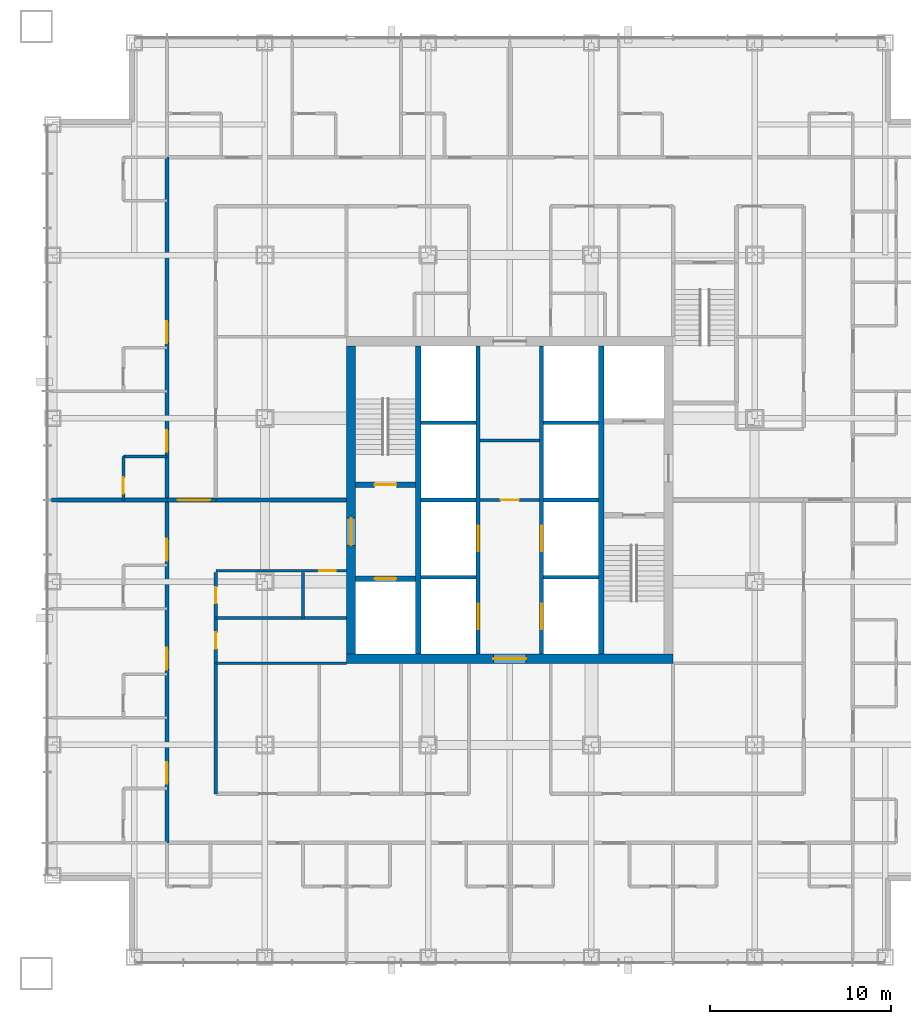
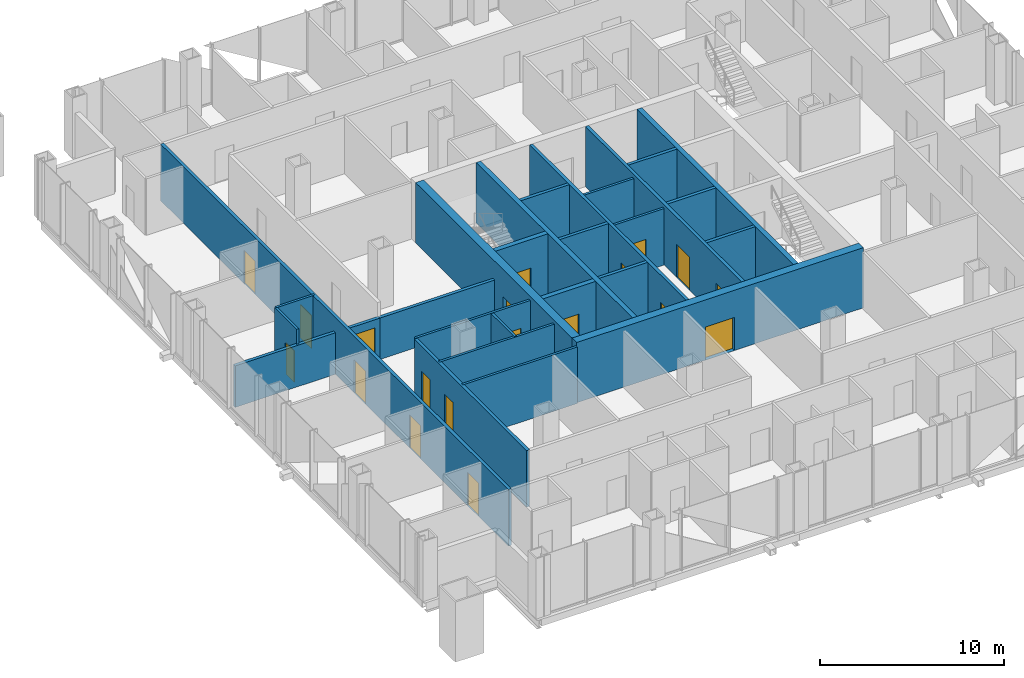
# One storey, part 8 of 17: 27 walls, 19 doors, 19 openings.
"""IFC4 building model written with IfcOpenShell, lengths in metres."""

from ifc_helpers import new_model, si_unit, direction, frame, frame_2d, origin, place, context, subcontext, project, spatial, rectangle, extrude, material, layer, layer_set, type_object, element, fill, save


model = new_model("IFC4")

# Units and contexts
model_context = context("Model", 3, precision=1e-05, world=origin(), true_north=direction((0.0, 1.0)))
body_context = subcontext(model_context, "Body", "Model", "MODEL_VIEW")
ifc_project = project(units=[si_unit("LENGTHUNIT", "METRE"), si_unit("AREAUNIT", "SQUARE_METRE"), si_unit("VOLUMEUNIT", "CUBIC_METRE"), si_unit("PLANEANGLEUNIT", "RADIAN"), si_unit("MASSUNIT", "GRAM", prefix="KILO")], contexts=[model_context])

# Site, building, storey
site_placement = place(None, origin())
site = spatial("IfcSite", under=ifc_project, at=site_placement, CompositionType="ELEMENT")
building_placement = place(site_placement, origin())
building = spatial("IfcBuilding", under=site, at=building_placement, Name="Malebo Sky Hospital", CompositionType="ELEMENT")
storey_placement = place(building_placement, frame((0.0, 0.0, 51.0)))
storey = spatial("IfcBuildingStorey", under=building, at=storey_placement, Name="L11", CompositionType="ELEMENT", Elevation=51.0)

# Wall, openings, doors
ifc_material_1 = material(Name="Concrete C80/95", Category="concrete")
ifc_layer_1 = layer(ifc_material_1, 0.199951171875)
ifc_layer_set_1 = layer_set([ifc_layer_1], Name="CORE INNER WALL 200")
wall_type_1 = type_object("IfcWallType", Name="CORE INNER WALL 200", PredefinedType="SHEAR", material=ifc_layer_set_1)
wall_1_placement = place(storey_placement, frame((58.25, 53.5, 0.0), z_axis=(0.0, 0.0, 1.0), x_axis=(0.0, 1.0, 0.0)))
wall_1 = element("IfcWall", 1, at=wall_1_placement, inside=storey, type_object=wall_type_1, Name="Core wall LW L11", PredefinedType="SHEAR", context=body_context, shape_type="SweptSolid", body=[
    extrude(rectangle(XDim=17.0, YDim=0.199951171875, at=frame_2d((8.5, 0.0))), origin(), (0.0, 0.0, 1.0), 4.0),
])
opening_1_placement = place(wall_1_placement, frame((1.375, 0.0, 0.0)))
opening_1 = element("IfcOpeningElement", 2, at=opening_1_placement, cuts=wall_1, Name="Opening LD1", PredefinedType="OPENING", context=body_context, shape_type="SweptSolid", body=[
    extrude(rectangle(XDim=1.39990234375, YDim=2.199951171875, at=frame_2d((0.699951171875, 1.10009765625))), frame((0.0, 0.10986328125, 0.0), z_axis=(0.0, -1.0, 0.0), x_axis=(1.0, 0.0, 0.0)), (0.0, 0.0, 1.0), 0.219970703125),
])
opening_2_placement = place(wall_1_placement, frame((5.675048828125, 0.0, 0.0)))
opening_2 = element("IfcOpeningElement", 3, at=opening_2_placement, cuts=wall_1, Name="Opening LD1", PredefinedType="OPENING", context=body_context, shape_type="SweptSolid", body=[
    extrude(rectangle(XDim=1.39990234375, YDim=2.199951171875, at=frame_2d((0.699951171875, 1.10009765625))), frame((0.0, 0.10986328125, 0.0), z_axis=(0.0, -1.0, 0.0), x_axis=(1.0, 0.0, 0.0)), (0.0, 0.0, 1.0), 0.219970703125),
])
ifc_material_2 = material(Name="Stainless steel sliding landing door", Category="steel")
door_type_1 = type_object("IfcDoorType", Name="LIFT LANDING DOOR 1400", OperationType="SLIDING_TO_LEFT", PredefinedType="DOOR", material=ifc_material_2)
door_1_placement = place(opening_1_placement, origin())
door_1 = element("IfcDoor", 4, at=door_1_placement, inside=storey, type_object=door_type_1, Name="Lift W1 landing door", OperationType="SLIDING_TO_LEFT", OverallHeight=2.199951171875, OverallWidth=1.39990234375, PredefinedType="DOOR", context=body_context, shape_type="SweptSolid", body=[
    extrude(rectangle(XDim=1.39990234375, YDim=2.199951171875, at=frame_2d((0.699951171875, 1.10009765625))), frame((0.0, 0.02490234375, 0.0), z_axis=(0.0, -1.0, 0.0), x_axis=(1.0, 0.0, 0.0)), (0.0, 0.0, 1.0), 0.050048828125),
])
fill(opening_1, door_1)
door_2_placement = place(opening_2_placement, origin())
door_2 = element("IfcDoor", 5, at=door_2_placement, inside=storey, type_object=door_type_1, Name="Lift W2 landing door", OperationType="SLIDING_TO_LEFT", OverallHeight=2.199951171875, OverallWidth=1.39990234375, PredefinedType="DOOR", context=body_context, shape_type="SweptSolid", body=[
    extrude(rectangle(XDim=1.39990234375, YDim=2.199951171875, at=frame_2d((0.699951171875, 1.10009765625))), frame((0.0, 0.02490234375, 0.0), z_axis=(0.0, -1.0, 0.0), x_axis=(1.0, 0.0, 0.0)), (0.0, 0.0, 1.0), 0.050048828125),
])
fill(opening_2, door_2)

wall_2_placement = place(storey_placement, frame((61.75, 53.5, 0.0), z_axis=(0.0, 0.0, 1.0), x_axis=(0.0, 1.0, 0.0)))
wall_2 = element("IfcWall", 6, at=wall_2_placement, inside=storey, type_object=wall_type_1, Name="Core wall LE L11", PredefinedType="SHEAR", context=body_context, shape_type="SweptSolid", body=[
    extrude(rectangle(XDim=17.0, YDim=0.199951171875, at=frame_2d((8.5, 0.0))), origin(), (0.0, 0.0, 1.0), 4.0),
])
opening_3_placement = place(wall_2_placement, frame((1.375, 0.0, 0.0)))
opening_3 = element("IfcOpeningElement", 7, at=opening_3_placement, cuts=wall_2, Name="Opening LD1", PredefinedType="OPENING", context=body_context, shape_type="SweptSolid", body=[
    extrude(rectangle(XDim=1.39990234375, YDim=2.199951171875, at=frame_2d((0.699951171875, 1.10009765625))), frame((0.0, 0.10986328125, 0.0), z_axis=(0.0, -1.0, 0.0), x_axis=(1.0, 0.0, 0.0)), (0.0, 0.0, 1.0), 0.219970703125),
])
opening_4_placement = place(wall_2_placement, frame((5.675048828125, 0.0, 0.0)))
opening_4 = element("IfcOpeningElement", 8, at=opening_4_placement, cuts=wall_2, Name="Opening LD1", PredefinedType="OPENING", context=body_context, shape_type="SweptSolid", body=[
    extrude(rectangle(XDim=1.39990234375, YDim=2.199951171875, at=frame_2d((0.699951171875, 1.10009765625))), frame((0.0, 0.10986328125, 0.0), z_axis=(0.0, -1.0, 0.0), x_axis=(1.0, 0.0, 0.0)), (0.0, 0.0, 1.0), 0.219970703125),
])
door_3_placement = place(opening_3_placement, origin())
door_3 = element("IfcDoor", 9, at=door_3_placement, inside=storey, type_object=door_type_1, Name="Lift E1 landing door", OperationType="SLIDING_TO_LEFT", OverallHeight=2.199951171875, OverallWidth=1.39990234375, PredefinedType="DOOR", context=body_context, shape_type="SweptSolid", body=[
    extrude(rectangle(XDim=1.39990234375, YDim=2.199951171875, at=frame_2d((0.699951171875, 1.10009765625))), frame((0.0, 0.02490234375, 0.0), z_axis=(0.0, -1.0, 0.0), x_axis=(1.0, 0.0, 0.0)), (0.0, 0.0, 1.0), 0.050048828125),
])
fill(opening_3, door_3)
door_4_placement = place(opening_4_placement, origin())
door_4 = element("IfcDoor", 10, at=door_4_placement, inside=storey, type_object=door_type_1, Name="Lift E2 landing door", OperationType="SLIDING_TO_LEFT", OverallHeight=2.199951171875, OverallWidth=1.39990234375, PredefinedType="DOOR", context=body_context, shape_type="SweptSolid", body=[
    extrude(rectangle(XDim=1.39990234375, YDim=2.199951171875, at=frame_2d((0.699951171875, 1.10009765625))), frame((0.0, 0.02490234375, 0.0), z_axis=(0.0, -1.0, 0.0), x_axis=(1.0, 0.0, 0.0)), (0.0, 0.0, 1.0), 0.050048828125),
])
fill(opening_4, door_4)

# Walls
for number, where, z_axis, x_axis, name in (
    (11, (55.10009765625, 57.75, 0.0), (0.0, 0.0, 1.0), (1.0, 0.0, 0.0), "Core wall SW0 L11"),
    (12, (61.85009765625, 57.75, 0.0), (0.0, 0.0, 1.0), (1.0, 0.0, 0.0), "Core wall SE0 L11"),
    (13, (55.10009765625, 62.0, 0.0), (0.0, 0.0, 1.0), (1.0, 0.0, 0.0), "Core wall SW1 L11"),
    (14, (61.85009765625, 62.0, 0.0), (0.0, 0.0, 1.0), (1.0, 0.0, 0.0), "Core wall SE1 L11"),
    (15, (55.10009765625, 66.25, 0.0), (0.0, 0.0, 1.0), (1.0, 0.0, 0.0), "Core wall SW2 L11"),
    (16, (61.85009765625, 66.25, 0.0), (0.0, 0.0, 1.0), (1.0, 0.0, 0.0), "Core wall SE2 L11"),
):
    element("IfcWall", number, at=place(storey_placement, frame(where, z_axis=z_axis, x_axis=x_axis)), inside=storey, type_object=wall_type_1, Name=name, PredefinedType="SHEAR", context=body_context, shape_type="SweptSolid", body=[
        extrude(rectangle(XDim=3.0498046875, YDim=0.199951171875, at=frame_2d((1.52490234375, 0.0))), origin(), (0.0, 0.0, 1.0), 4.0),
    ])
ifc_layer_2 = layer(ifc_material_1, 0.300048828125)
ifc_layer_set_2 = layer_set([ifc_layer_2], Name="CORE INNER WALL 300")
wall_type_2 = type_object("IfcWallType", Name="CORE INNER WALL 300", PredefinedType="SHEAR", material=ifc_layer_set_2)
for number, where, z_axis, x_axis, name in (
    (17, (54.949951171875, 53.5, 0.0), (0.0, 0.0, 1.0), (0.0, 1.0, 0.0), "Core wall XW L11"),
    (18, (65.050048828125, 53.5, 0.0), (0.0, 0.0, 1.0), (0.0, 1.0, 0.0), "Core wall XE L11"),
):
    element("IfcWall", number, at=place(storey_placement, frame(where, z_axis=z_axis, x_axis=x_axis)), inside=storey, type_object=wall_type_2, Name=name, PredefinedType="SHEAR", context=body_context, shape_type="SweptSolid", body=[
        extrude(rectangle(XDim=17.0, YDim=0.300048828125, at=frame_2d((8.5, 0.0))), origin(), (0.0, 0.0, 1.0), 4.0),
    ])

# Wall, opening, door
wall_3_placement = place(storey_placement, frame((51.5, 62.85009765625, 0.0), z_axis=(0.0, 0.0, 1.0), x_axis=(1.0, 0.0, 0.0)))
wall_3 = element("IfcWall", 19, at=wall_3_placement, inside=storey, type_object=wall_type_2, Name="Core wall W1 L11", PredefinedType="SHEAR", context=body_context, shape_type="SweptSolid", body=[
    extrude(rectangle(XDim=3.300048828125, YDim=0.300048828125, at=frame_2d((1.64990234375, 0.0))), origin(), (0.0, 0.0, 1.0), 4.0),
])
opening_5_placement = place(wall_3_placement, frame((1.050048828125, 0.0, 0.0)))
opening_5 = element("IfcOpeningElement", 20, at=opening_5_placement, cuts=wall_3, Name="Opening D08", PredefinedType="OPENING", context=body_context, shape_type="SweptSolid", body=[
    extrude(rectangle(XDim=1.199951171875, YDim=2.10009765625, at=frame_2d((0.60009765625, 1.050048828125))), frame((0.0, 0.159912109375, 0.0), z_axis=(0.0, -1.0, 0.0), x_axis=(1.0, 0.0, 0.0)), (0.0, 0.0, 1.0), 0.320068359375),
])
ifc_material_3 = material(Name="Hardwood-faced door leaf in steel frame", Category="steel")
door_type_2 = type_object("IfcDoorType", Name="STAIR DOOR 1200", OperationType="SINGLE_SWING_LEFT", PredefinedType="DOOR", material=ifc_material_3)
door_5_placement = place(opening_5_placement, origin())
door_5 = element("IfcDoor", 21, at=door_5_placement, inside=storey, type_object=door_type_2, Name="Stair S1 door", OperationType="SINGLE_SWING_LEFT", OverallHeight=2.10009765625, OverallWidth=1.199951171875, PredefinedType="DOOR", context=body_context, shape_type="SweptSolid", body=[
    extrude(rectangle(XDim=1.199951171875, YDim=2.10009765625, at=frame_2d((0.60009765625, 1.050048828125))), frame((0.0, 0.02490234375, 0.0), z_axis=(0.0, -1.0, 0.0), x_axis=(1.0, 0.0, 0.0)), (0.0, 0.0, 1.0), 0.050048828125),
])
fill(opening_5, door_5)

wall_4_placement = place(storey_placement, frame((51.5, 57.64990234375, 0.0), z_axis=(0.0, 0.0, 1.0), x_axis=(1.0, 0.0, 0.0)))
wall_4 = element("IfcWall", 22, at=wall_4_placement, inside=storey, type_object=wall_type_2, Name="Core wall W2 L11", PredefinedType="SHEAR", context=body_context, shape_type="SweptSolid", body=[
    extrude(rectangle(XDim=3.300048828125, YDim=0.300048828125, at=frame_2d((1.64990234375, 0.0))), origin(), (0.0, 0.0, 1.0), 4.0),
])
opening_6_placement = place(wall_4_placement, frame((1.050048828125, 0.0, 0.0)))
opening_6 = element("IfcOpeningElement", 23, at=opening_6_placement, cuts=wall_4, Name="Opening LD2", PredefinedType="OPENING", context=body_context, shape_type="SweptSolid", body=[
    extrude(rectangle(XDim=1.199951171875, YDim=2.199951171875, at=frame_2d((0.60009765625, 1.10009765625))), frame((0.0, 0.159912109375, 0.0), z_axis=(0.0, -1.0, 0.0), x_axis=(1.0, 0.0, 0.0)), (0.0, 0.0, 1.0), 0.320068359375),
])
door_type_3 = type_object("IfcDoorType", Name="FIRE-FIGHTING LIFT LANDING DOOR 1200", OperationType="SLIDING_TO_LEFT", PredefinedType="DOOR", material=ifc_material_2)
door_6_placement = place(opening_6_placement, origin())
door_6 = element("IfcDoor", 24, at=door_6_placement, inside=storey, type_object=door_type_3, Name="Lift FL1 landing door", OperationType="SLIDING_TO_LEFT", OverallHeight=2.199951171875, OverallWidth=1.199951171875, PredefinedType="DOOR", context=body_context, shape_type="SweptSolid", body=[
    extrude(rectangle(XDim=1.199951171875, YDim=2.199951171875, at=frame_2d((0.60009765625, 1.10009765625))), frame((0.0, 0.02490234375, 0.0), z_axis=(0.0, -1.0, 0.0), x_axis=(1.0, 0.0, 0.0)), (0.0, 0.0, 1.0), 0.050048828125),
])
fill(opening_6, door_6)

ifc_layer_3 = layer(ifc_material_1, 0.5)
ifc_layer_set_3 = layer_set([ifc_layer_3], Name="CORE WALL 500")
wall_type_3 = type_object("IfcWallType", Name="CORE WALL 500", PredefinedType="SHEAR", material=ifc_layer_set_3)
wall_5_placement = place(storey_placement, frame((51.0, 53.25, 0.0), z_axis=(0.0, 0.0, 1.0), x_axis=(1.0, 0.0, 0.0)))
wall_5 = element("IfcWall", 25, at=wall_5_placement, inside=storey, type_object=wall_type_3, Name="Core wall S L11", PredefinedType="SHEAR", context=body_context, shape_type="SweptSolid", body=[
    extrude(rectangle(XDim=18.0, YDim=0.5, at=frame_2d((9.0, 0.0))), origin(), (0.0, 0.0, 1.0), 4.0),
])
opening_7_placement = place(wall_5_placement, frame((8.10009765625, 0.0, 0.0)))
opening_7 = element("IfcOpeningElement", 26, at=opening_7_placement, cuts=wall_5, Name="Opening D06", PredefinedType="OPENING", context=body_context, shape_type="SweptSolid", body=[
    extrude(rectangle(XDim=1.800048828125, YDim=2.199951171875, at=frame_2d((0.89990234375, 1.10009765625))), frame((0.0, 0.260009765625, 0.0), z_axis=(0.0, -1.0, 0.0), x_axis=(1.0, 0.0, 0.0)), (0.0, 0.0, 1.0), 0.52001953125),
])
door_type_4 = type_object("IfcDoorType", Name="LOBBY DOOR PAIR 1800", OperationType="DOUBLE_DOOR_SINGLE_SWING", PredefinedType="DOOR", material=ifc_material_3)
door_7_placement = place(opening_7_placement, origin())
door_7 = element("IfcDoor", 27, at=door_7_placement, inside=storey, type_object=door_type_4, Name="Lift lobby door south", OperationType="DOUBLE_DOOR_SINGLE_SWING", OverallHeight=2.199951171875, OverallWidth=1.800048828125, PredefinedType="DOOR", context=body_context, shape_type="SweptSolid", body=[
    extrude(rectangle(XDim=1.800048828125, YDim=2.199951171875, at=frame_2d((0.89990234375, 1.10009765625))), frame((0.0, 0.02490234375, 0.0), z_axis=(0.0, -1.0, 0.0), x_axis=(1.0, 0.0, 0.0)), (0.0, 0.0, 1.0), 0.050048828125),
])
fill(opening_7, door_7)

wall_6_placement = place(storey_placement, frame((51.25, 53.5, 0.0), z_axis=(0.0, 0.0, 1.0), x_axis=(0.0, 1.0, 0.0)))
wall_6 = element("IfcWall", 28, at=wall_6_placement, inside=storey, type_object=wall_type_3, Name="Core wall W L11", PredefinedType="SHEAR", context=body_context, shape_type="SweptSolid", body=[
    extrude(rectangle(XDim=17.0, YDim=0.5, at=frame_2d((8.5, 0.0))), origin(), (0.0, 0.0, 1.0), 4.0),
])
opening_8_placement = place(wall_6_placement, frame((6.0, 0.0, 0.0)))
opening_8 = element("IfcOpeningElement", 29, at=opening_8_placement, cuts=wall_6, Name="Opening D07", PredefinedType="OPENING", context=body_context, shape_type="SweptSolid", body=[
    extrude(rectangle(XDim=1.5, YDim=2.199951171875, at=frame_2d((0.75, 1.10009765625))), frame((0.0, 0.260009765625, 0.0), z_axis=(0.0, -1.0, 0.0), x_axis=(1.0, 0.0, 0.0)), (0.0, 0.0, 1.0), 0.52001953125),
])
door_type_5 = type_object("IfcDoorType", Name="FIRE-FIGHTING LOBBY DOOR PAIR 1500", OperationType="DOUBLE_DOOR_SINGLE_SWING", PredefinedType="DOOR", material=ifc_material_3)
door_8_placement = place(opening_8_placement, origin())
door_8 = element("IfcDoor", 30, at=door_8_placement, inside=storey, type_object=door_type_5, Name="Fire-fighting lobby door west", OperationType="DOUBLE_DOOR_SINGLE_SWING", OverallHeight=2.199951171875, OverallWidth=1.5, PredefinedType="DOOR", context=body_context, shape_type="SweptSolid", body=[
    extrude(rectangle(XDim=1.5, YDim=2.199951171875, at=frame_2d((0.75, 1.10009765625))), frame((0.0, 0.02490234375, 0.0), z_axis=(0.0, -1.0, 0.0), x_axis=(1.0, 0.0, 0.0)), (0.0, 0.0, 1.0), 0.050048828125),
])
fill(opening_8, door_8)

# Wall, openings, doors
ifc_material_4 = material(Name="Gypsum board on steel studs", Category="steel")
ifc_layer_4 = layer(ifc_material_4, 0.199951171875)
ifc_layer_set_4 = layer_set([ifc_layer_4], Name="CORRIDOR WALL 200")
wall_type_4 = type_object("IfcWallType", Name="CORRIDOR WALL 200", PredefinedType="PARTITIONING", material=ifc_layer_set_4)
wall_7_placement = place(storey_placement, frame((41.10009765625, 43.10009765625, 0.0), z_axis=(0.0, 0.0, 1.0), x_axis=(0.0, 1.0, 0.0)))
wall_7 = element("IfcWall", 31, at=wall_7_placement, inside=storey, type_object=wall_type_4, Name="Corridor Wall 200 WCO", PredefinedType="PARTITIONING", context=body_context, shape_type="SweptSolid", body=[
    extrude(rectangle(XDim=37.7998046875, YDim=0.199951171875, at=frame_2d((18.89990234375, 0.0))), origin(), (0.0, 0.0, 1.0), 3.75),
])
opening_9_placement = place(wall_7_placement, frame((3.25, 0.0, 0.0)))
opening_9 = element("IfcOpeningElement", 32, at=opening_9_placement, cuts=wall_7, Name="Opening D01", PredefinedType="OPENING", context=body_context, shape_type="SweptSolid", body=[
    extrude(rectangle(XDim=1.199951171875, YDim=2.199951171875, at=frame_2d((0.60009765625, 1.10009765625))), frame((0.0, 0.10986328125, 0.0), z_axis=(0.0, -1.0, 0.0), x_axis=(1.0, 0.0, 0.0)), (0.0, 0.0, 1.0), 0.219970703125),
])
opening_10_placement = place(wall_7_placement, frame((9.550048828125, 0.0, 0.0)))
opening_10 = element("IfcOpeningElement", 33, at=opening_10_placement, cuts=wall_7, Name="Opening D01", PredefinedType="OPENING", context=body_context, shape_type="SweptSolid", body=[
    extrude(rectangle(XDim=1.199951171875, YDim=2.199951171875, at=frame_2d((0.60009765625, 1.10009765625))), frame((0.0, 0.10986328125, 0.0), z_axis=(0.0, -1.0, 0.0), x_axis=(1.0, 0.0, 0.0)), (0.0, 0.0, 1.0), 0.219970703125),
])
opening_11_placement = place(wall_7_placement, frame((15.550048828125, 0.0, 0.0)))
opening_11 = element("IfcOpeningElement", 34, at=opening_11_placement, cuts=wall_7, Name="Opening D01", PredefinedType="OPENING", context=body_context, shape_type="SweptSolid", body=[
    extrude(rectangle(XDim=1.199951171875, YDim=2.199951171875, at=frame_2d((0.60009765625, 1.10009765625))), frame((0.0, 0.10986328125, 0.0), z_axis=(0.0, -1.0, 0.0), x_axis=(1.0, 0.0, 0.0)), (0.0, 0.0, 1.0), 0.219970703125),
])
opening_12_placement = place(wall_7_placement, frame((21.550048828125, 0.0, 0.0)))
opening_12 = element("IfcOpeningElement", 35, at=opening_12_placement, cuts=wall_7, Name="Opening D01", PredefinedType="OPENING", context=body_context, shape_type="SweptSolid", body=[
    extrude(rectangle(XDim=1.199951171875, YDim=2.199951171875, at=frame_2d((0.60009765625, 1.10009765625))), frame((0.0, 0.10986328125, 0.0), z_axis=(0.0, -1.0, 0.0), x_axis=(1.0, 0.0, 0.0)), (0.0, 0.0, 1.0), 0.219970703125),
])
opening_13_placement = place(wall_7_placement, frame((27.550048828125, 0.0, 0.0)))
opening_13 = element("IfcOpeningElement", 36, at=opening_13_placement, cuts=wall_7, Name="Opening D01", PredefinedType="OPENING", context=body_context, shape_type="SweptSolid", body=[
    extrude(rectangle(XDim=1.199951171875, YDim=2.199951171875, at=frame_2d((0.60009765625, 1.10009765625))), frame((0.0, 0.10986328125, 0.0), z_axis=(0.0, -1.0, 0.0), x_axis=(1.0, 0.0, 0.0)), (0.0, 0.0, 1.0), 0.219970703125),
])
door_type_6 = type_object("IfcDoorType", Name="BED DOOR 1200", OperationType="SINGLE_SWING_LEFT", PredefinedType="DOOR", material=ifc_material_3)
door_9_placement = place(opening_9_placement, origin())
door_9 = element("IfcDoor", 37, at=door_9_placement, inside=storey, type_object=door_type_6, Name="Two-bed room door", OperationType="SINGLE_SWING_LEFT", OverallHeight=2.199951171875, OverallWidth=1.199951171875, PredefinedType="DOOR", context=body_context, shape_type="SweptSolid", body=[
    extrude(rectangle(XDim=1.199951171875, YDim=2.199951171875, at=frame_2d((0.60009765625, 1.10009765625))), frame((0.0, 0.02490234375, 0.0), z_axis=(0.0, -1.0, 0.0), x_axis=(1.0, 0.0, 0.0)), (0.0, 0.0, 1.0), 0.050048828125),
])
fill(opening_9, door_9)
door_10_placement = place(opening_10_placement, origin())
door_10 = element("IfcDoor", 38, at=door_10_placement, inside=storey, type_object=door_type_6, Name="Two-bed room door", OperationType="SINGLE_SWING_LEFT", OverallHeight=2.199951171875, OverallWidth=1.199951171875, PredefinedType="DOOR", context=body_context, shape_type="SweptSolid", body=[
    extrude(rectangle(XDim=1.199951171875, YDim=2.199951171875, at=frame_2d((0.60009765625, 1.10009765625))), frame((0.0, 0.02490234375, 0.0), z_axis=(0.0, -1.0, 0.0), x_axis=(1.0, 0.0, 0.0)), (0.0, 0.0, 1.0), 0.050048828125),
])
fill(opening_10, door_10)
door_11_placement = place(opening_11_placement, origin())
door_11 = element("IfcDoor", 39, at=door_11_placement, inside=storey, type_object=door_type_6, Name="Two-bed room door", OperationType="SINGLE_SWING_LEFT", OverallHeight=2.199951171875, OverallWidth=1.199951171875, PredefinedType="DOOR", context=body_context, shape_type="SweptSolid", body=[
    extrude(rectangle(XDim=1.199951171875, YDim=2.199951171875, at=frame_2d((0.60009765625, 1.10009765625))), frame((0.0, 0.02490234375, 0.0), z_axis=(0.0, -1.0, 0.0), x_axis=(1.0, 0.0, 0.0)), (0.0, 0.0, 1.0), 0.050048828125),
])
fill(opening_11, door_11)
door_12_placement = place(opening_12_placement, origin())
door_12 = element("IfcDoor", 40, at=door_12_placement, inside=storey, type_object=door_type_6, Name="Two-bed room door", OperationType="SINGLE_SWING_LEFT", OverallHeight=2.199951171875, OverallWidth=1.199951171875, PredefinedType="DOOR", context=body_context, shape_type="SweptSolid", body=[
    extrude(rectangle(XDim=1.199951171875, YDim=2.199951171875, at=frame_2d((0.60009765625, 1.10009765625))), frame((0.0, 0.02490234375, 0.0), z_axis=(0.0, -1.0, 0.0), x_axis=(1.0, 0.0, 0.0)), (0.0, 0.0, 1.0), 0.050048828125),
])
fill(opening_12, door_12)
door_13_placement = place(opening_13_placement, origin())
door_13 = element("IfcDoor", 41, at=door_13_placement, inside=storey, type_object=door_type_6, Name="Four-bed bay door", OperationType="SINGLE_SWING_LEFT", OverallHeight=2.199951171875, OverallWidth=1.199951171875, PredefinedType="DOOR", context=body_context, shape_type="SweptSolid", body=[
    extrude(rectangle(XDim=1.199951171875, YDim=2.199951171875, at=frame_2d((0.60009765625, 1.10009765625))), frame((0.0, 0.02490234375, 0.0), z_axis=(0.0, -1.0, 0.0), x_axis=(1.0, 0.0, 0.0)), (0.0, 0.0, 1.0), 0.050048828125),
])
fill(opening_13, door_13)

wall_8_placement = place(storey_placement, frame((43.800048828125, 45.800048828125, 0.0), z_axis=(0.0, 0.0, 1.0), x_axis=(0.0, 1.0, 0.0)))
wall_8 = element("IfcWall", 42, at=wall_8_placement, inside=storey, type_object=wall_type_4, Name="Corridor Wall 200 WCI1", PredefinedType="PARTITIONING", context=body_context, shape_type="SweptSolid", body=[
    extrude(rectangle(XDim=12.199951171875, YDim=0.199951171875, at=frame_2d((6.10009765625, 0.0))), origin(), (0.0, 0.0, 1.0), 3.75),
])
opening_14_placement = place(wall_8_placement, frame((8.0, 0.0, 0.0)))
opening_14 = element("IfcOpeningElement", 43, at=opening_14_placement, cuts=wall_8, Name="Opening D04", PredefinedType="OPENING", context=body_context, shape_type="SweptSolid", body=[
    extrude(rectangle(XDim=0.89990234375, YDim=2.10009765625, at=frame_2d((0.449951171875, 1.050048828125))), frame((0.0, 0.10986328125, 0.0), z_axis=(0.0, -1.0, 0.0), x_axis=(1.0, 0.0, 0.0)), (0.0, 0.0, 1.0), 0.219970703125),
])
opening_15_placement = place(wall_8_placement, frame((10.5, 0.0, 0.0)))
opening_15 = element("IfcOpeningElement", 44, at=opening_15_placement, cuts=wall_8, Name="Opening D04", PredefinedType="OPENING", context=body_context, shape_type="SweptSolid", body=[
    extrude(rectangle(XDim=0.89990234375, YDim=2.10009765625, at=frame_2d((0.449951171875, 1.050048828125))), frame((0.0, 0.10986328125, 0.0), z_axis=(0.0, -1.0, 0.0), x_axis=(1.0, 0.0, 0.0)), (0.0, 0.0, 1.0), 0.219970703125),
])
door_type_7 = type_object("IfcDoorType", Name="ROOM DOOR 900", OperationType="SINGLE_SWING_LEFT", PredefinedType="DOOR", material=ifc_material_3)
door_14_placement = place(opening_14_placement, origin())
door_14 = element("IfcDoor", 45, at=door_14_placement, inside=storey, type_object=door_type_7, Name="Medication room door", OperationType="SINGLE_SWING_LEFT", OverallHeight=2.10009765625, OverallWidth=0.89990234375, PredefinedType="DOOR", context=body_context, shape_type="SweptSolid", body=[
    extrude(rectangle(XDim=0.89990234375, YDim=2.10009765625, at=frame_2d((0.449951171875, 1.050048828125))), frame((0.0, 0.02490234375, 0.0), z_axis=(0.0, -1.0, 0.0), x_axis=(1.0, 0.0, 0.0)), (0.0, 0.0, 1.0), 0.050048828125),
])
fill(opening_14, door_14)
door_15_placement = place(opening_15_placement, origin())
door_15 = element("IfcDoor", 46, at=door_15_placement, inside=storey, type_object=door_type_7, Name="Linen store door", OperationType="SINGLE_SWING_LEFT", OverallHeight=2.10009765625, OverallWidth=0.89990234375, PredefinedType="DOOR", context=body_context, shape_type="SweptSolid", body=[
    extrude(rectangle(XDim=0.89990234375, YDim=2.10009765625, at=frame_2d((0.449951171875, 1.050048828125))), frame((0.0, 0.02490234375, 0.0), z_axis=(0.0, -1.0, 0.0), x_axis=(1.0, 0.0, 0.0)), (0.0, 0.0, 1.0), 0.050048828125),
])
fill(opening_15, door_15)

# Wall, opening, door
ifc_layer_5 = layer(ifc_material_4, 0.14990234375)
ifc_layer_set_5 = layer_set([ifc_layer_5], Name="PARTITION 150")
wall_type_5 = type_object("IfcWallType", Name="PARTITION 150", PredefinedType="PARTITIONING", material=ifc_layer_set_5)
wall_9_placement = place(storey_placement, frame((38.699951171875, 62.0, 0.0), z_axis=(0.0, 0.0, 1.0), x_axis=(0.0, 1.0, 0.0)))
wall_9 = element("IfcWall", 47, at=wall_9_placement, inside=storey, type_object=wall_type_5, Name="Partition 150 WE3F", PredefinedType="PARTITIONING", context=body_context, shape_type="SweptSolid", body=[
    extrude(rectangle(XDim=2.39990234375, YDim=0.14990234375, at=frame_2d((1.199951171875, 0.0))), origin(), (0.0, 0.0, 1.0), 3.75),
])
opening_16_placement = place(wall_9_placement, frame((0.35009765625, 0.0, 0.0)))
opening_16 = element("IfcOpeningElement", 48, at=opening_16_placement, cuts=wall_9, Name="Opening D02", PredefinedType="OPENING", context=body_context, shape_type="SweptSolid", body=[
    extrude(rectangle(XDim=0.89990234375, YDim=2.10009765625, at=frame_2d((0.449951171875, 1.050048828125))), frame((0.0, 0.0849609375, 0.0), z_axis=(0.0, -1.0, 0.0), x_axis=(1.0, 0.0, 0.0)), (0.0, 0.0, 1.0), 0.169921875),
])
door_type_8 = type_object("IfcDoorType", Name="EN-SUITE DOOR 900", OperationType="SINGLE_SWING_LEFT", PredefinedType="DOOR", material=ifc_material_3)
door_16_placement = place(opening_16_placement, origin())
door_16 = element("IfcDoor", 49, at=door_16_placement, inside=storey, type_object=door_type_8, Name="En-suite door", OperationType="SINGLE_SWING_LEFT", OverallHeight=2.10009765625, OverallWidth=0.89990234375, PredefinedType="DOOR", context=body_context, shape_type="SweptSolid", body=[
    extrude(rectangle(XDim=0.89990234375, YDim=2.10009765625, at=frame_2d((0.449951171875, 1.050048828125))), frame((0.0, 0.02490234375, 0.0), z_axis=(0.0, -1.0, 0.0), x_axis=(1.0, 0.0, 0.0)), (0.0, 0.0, 1.0), 0.050048828125),
])
fill(opening_16, door_16)

# Walls
wall_10_placement = place(storey_placement, frame((41.10009765625, 64.39990234375, 0.0), z_axis=(0.0, 0.0, 1.0), x_axis=(-1.0, 0.0, 0.0)))
element("IfcWall", 50, at=wall_10_placement, inside=storey, type_object=wall_type_5, Name="Partition 150 WE3S", PredefinedType="PARTITIONING", context=body_context, shape_type="SweptSolid", body=[
    extrude(rectangle(XDim=2.400146484375, YDim=0.14990234375, at=frame_2d((1.2001953125, 0.0))), origin(), (0.0, 0.0, 1.0), 3.75),
])
wall_11_placement = place(storey_placement, frame((51.0, 53.0, 0.0), z_axis=(0.0, 0.0, 1.0), x_axis=(-1.0, 0.0, 0.0)))
element("IfcWall", 51, at=wall_11_placement, inside=storey, type_object=wall_type_5, Name="Partition 150 WSP0", PredefinedType="PARTITIONING", context=body_context, shape_type="SweptSolid", body=[
    extrude(rectangle(XDim=7.199951171875, YDim=0.14990234375, at=frame_2d((3.60009765625, 0.0))), origin(), (0.0, 0.0, 1.0), 3.75),
])

# Wall, opening, door
wall_12_placement = place(storey_placement, frame((51.0, 58.10009765625, 0.0), z_axis=(0.0, 0.0, 1.0), x_axis=(-1.0, 0.0, 0.0)))
wall_12 = element("IfcWall", 52, at=wall_12_placement, inside=storey, type_object=wall_type_5, Name="Partition 150 WSPA", PredefinedType="PARTITIONING", context=body_context, shape_type="SweptSolid", body=[
    extrude(rectangle(XDim=7.199951171875, YDim=0.14990234375, at=frame_2d((3.60009765625, 0.0))), origin(), (0.0, 0.0, 1.0), 3.75),
])
opening_17_placement = place(wall_12_placement, frame((0.60009765625, 0.0, 0.0)))
opening_17 = element("IfcOpeningElement", 53, at=opening_17_placement, cuts=wall_12, Name="Opening D04", PredefinedType="OPENING", context=body_context, shape_type="SweptSolid", body=[
    extrude(rectangle(XDim=0.89990234375, YDim=2.10009765625, at=frame_2d((0.449951171875, 1.050048828125))), frame((0.0, 0.0849609375, 0.0), z_axis=(0.0, -1.0, 0.0), x_axis=(1.0, 0.0, 0.0)), (0.0, 0.0, 1.0), 0.169921875),
])
door_17_placement = place(opening_17_placement, origin())
door_17 = element("IfcDoor", 54, at=door_17_placement, inside=storey, type_object=door_type_7, Name="Cleaner's room door", OperationType="SINGLE_SWING_LEFT", OverallHeight=2.10009765625, OverallWidth=0.89990234375, PredefinedType="DOOR", context=body_context, shape_type="SweptSolid", body=[
    extrude(rectangle(XDim=0.89990234375, YDim=2.10009765625, at=frame_2d((0.449951171875, 1.050048828125))), frame((0.0, 0.02490234375, 0.0), z_axis=(0.0, -1.0, 0.0), x_axis=(1.0, 0.0, 0.0)), (0.0, 0.0, 1.0), 0.050048828125),
])
fill(opening_17, door_17)

# Walls
wall_13_placement = place(storey_placement, frame((51.0, 55.5, 0.0), z_axis=(0.0, 0.0, 1.0), x_axis=(-1.0, 0.0, 0.0)))
element("IfcWall", 55, at=wall_13_placement, inside=storey, type_object=wall_type_5, Name="Partition 150 WSP-6.5", PredefinedType="PARTITIONING", context=body_context, shape_type="SweptSolid", body=[
    extrude(rectangle(XDim=7.199951171875, YDim=0.14990234375, at=frame_2d((3.60009765625, 0.0))), origin(), (0.0, 0.0, 1.0), 3.75),
])
wall_14_placement = place(storey_placement, frame((48.60009765625, 55.5, 0.0), z_axis=(0.0, 0.0, 1.0), x_axis=(0.0, 1.0, 0.0)))
element("IfcWall", 56, at=wall_14_placement, inside=storey, type_object=wall_type_5, Name="Partition 150 WSX1", PredefinedType="PARTITIONING", context=body_context, shape_type="SweptSolid", body=[
    extrude(rectangle(XDim=2.5, YDim=0.14990234375, at=frame_2d((1.25, 0.0))), origin(), (0.0, 0.0, 1.0), 3.75),
])

# Wall, opening, door
wall_15_placement = place(storey_placement, frame((58.35009765625, 62.0, 0.0), z_axis=(0.0, 0.0, 1.0), x_axis=(1.0, 0.0, 0.0)))
wall_15 = element("IfcWall", 57, at=wall_15_placement, inside=storey, type_object=wall_type_5, Name="Partition 150 LBN", PredefinedType="PARTITIONING", context=body_context, shape_type="SweptSolid", body=[
    extrude(rectangle(XDim=3.2998046875, YDim=0.14990234375, at=frame_2d((1.64990234375, 0.0))), origin(), (0.0, 0.0, 1.0), 3.75),
])
opening_18_placement = place(wall_15_placement, frame((1.14990234375, 0.0, 0.0)))
opening_18 = element("IfcOpeningElement", 58, at=opening_18_placement, cuts=wall_15, Name="Opening D03", PredefinedType="OPENING", context=body_context, shape_type="SweptSolid", body=[
    extrude(rectangle(XDim=1.0, YDim=2.10009765625, at=frame_2d((0.5, 1.050048828125))), frame((0.0, 0.0849609375, 0.0), z_axis=(0.0, -1.0, 0.0), x_axis=(1.0, 0.0, 0.0)), (0.0, 0.0, 1.0), 0.169921875),
])
door_type_9 = type_object("IfcDoorType", Name="ROOM DOOR 1000", OperationType="SINGLE_SWING_LEFT", PredefinedType="DOOR", material=ifc_material_3)
door_18_placement = place(opening_18_placement, origin())
door_18 = element("IfcDoor", 59, at=door_18_placement, inside=storey, type_object=door_type_9, Name="Equipment store door", OperationType="SINGLE_SWING_LEFT", OverallHeight=2.10009765625, OverallWidth=1.0, PredefinedType="DOOR", context=body_context, shape_type="SweptSolid", body=[
    extrude(rectangle(XDim=1.0, YDim=2.10009765625, at=frame_2d((0.5, 1.050048828125))), frame((0.0, 0.02490234375, 0.0), z_axis=(0.0, -1.0, 0.0), x_axis=(1.0, 0.0, 0.0)), (0.0, 0.0, 1.0), 0.050048828125),
])
fill(opening_18, door_18)

# Walls
wall_16_placement = place(storey_placement, frame((58.35009765625, 65.276611328125, 0.0), z_axis=(0.0, 0.0, 1.0), x_axis=(1.0, 0.0, 0.0)))
element("IfcWall", 60, at=wall_16_placement, inside=storey, type_object=wall_type_5, Name="Partition 150 LBN1", PredefinedType="PARTITIONING", context=body_context, shape_type="SweptSolid", body=[
    extrude(rectangle(XDim=3.2998046875, YDim=0.14990234375, at=frame_2d((1.64990234375, 0.0))), origin(), (0.0, 0.0, 1.0), 3.75),
])
ifc_material_5 = material(Name="Concrete blockwork", Category="masonry")
ifc_layer_6 = layer(ifc_material_5, 0.199951171875)
ifc_layer_set_6 = layer_set([ifc_layer_6], Name="SMOKE BARRIER WALL 200")
wall_type_6 = type_object("IfcWallType", Name="SMOKE BARRIER WALL 200", PredefinedType="SOLIDWALL", material=ifc_layer_set_6)
wall_17_placement = place(storey_placement, frame((41.10009765625, 62.0, 0.0), z_axis=(0.0, 0.0, 1.0), x_axis=(-1.0, 0.0, 0.0)))
element("IfcWall", 61, at=wall_17_placement, inside=storey, type_object=wall_type_6, Name="Smoke Barrier Wall 200 WP+0.0", PredefinedType="SOLIDWALL", context=body_context, shape_type="SweptSolid", body=[
    extrude(rectangle(XDim=6.375, YDim=0.199951171875, at=frame_2d((3.1875, 0.0))), origin(), (0.0, 0.0, 1.0), 2.75),
])
wall_18_placement = place(storey_placement, frame((51.0, 62.0, 0.0), z_axis=(0.0, 0.0, 1.0), x_axis=(-1.0, 0.0, 0.0)))
element("IfcWall", 62, at=wall_18_placement, inside=storey, type_object=wall_type_6, Name="Smoke Barrier Wall 200 WSPB", PredefinedType="SOLIDWALL", context=body_context, shape_type="SweptSolid", body=[
    extrude(rectangle(XDim=7.199951171875, YDim=0.199951171875, at=frame_2d((3.60009765625, 0.0))), origin(), (0.0, 0.0, 1.0), 2.75),
])

# Wall, opening, door
wall_19_placement = place(storey_placement, frame((43.800048828125, 62.0, 0.0), z_axis=(0.0, 0.0, 1.0), x_axis=(-1.0, 0.0, 0.0)))
wall_19 = element("IfcWall", 63, at=wall_19_placement, inside=storey, type_object=wall_type_6, Name="Smoke Barrier Wall 200 WSB", PredefinedType="SOLIDWALL", context=body_context, shape_type="SweptSolid", body=[
    extrude(rectangle(XDim=2.699951171875, YDim=0.199951171875, at=frame_2d((1.35009765625, 0.0))), origin(), (0.0, 0.0, 1.0), 2.75),
])
opening_19_placement = place(wall_19_placement, frame((0.300048828125, 0.0, 0.0)))
opening_19 = element("IfcOpeningElement", 64, at=opening_19_placement, cuts=wall_19, Name="Opening D05", PredefinedType="OPENING", context=body_context, shape_type="SweptSolid", body=[
    extrude(rectangle(XDim=1.800048828125, YDim=2.199951171875, at=frame_2d((0.89990234375, 1.10009765625))), frame((0.0, 0.10986328125, 0.0), z_axis=(0.0, -1.0, 0.0), x_axis=(1.0, 0.0, 0.0)), (0.0, 0.0, 1.0), 0.219970703125),
])
door_type_10 = type_object("IfcDoorType", Name="SMOKE DOOR PAIR 1800", OperationType="DOUBLE_DOOR_DOUBLE_SWING", PredefinedType="DOOR", material=ifc_material_3)
door_19_placement = place(opening_19_placement, origin())
door_19 = element("IfcDoor", 65, at=door_19_placement, inside=storey, type_object=door_type_10, Name="Smoke compartment door pair", OperationType="DOUBLE_DOOR_DOUBLE_SWING", OverallHeight=2.199951171875, OverallWidth=1.800048828125, PredefinedType="DOOR", context=body_context, shape_type="SweptSolid", body=[
    extrude(rectangle(XDim=1.800048828125, YDim=2.199951171875, at=frame_2d((0.89990234375, 1.10009765625))), frame((0.0, 0.02490234375, 0.0), z_axis=(0.0, -1.0, 0.0), x_axis=(1.0, 0.0, 0.0)), (0.0, 0.0, 1.0), 0.050048828125),
])
fill(opening_19, door_19)

save(model, "model.ifc")
